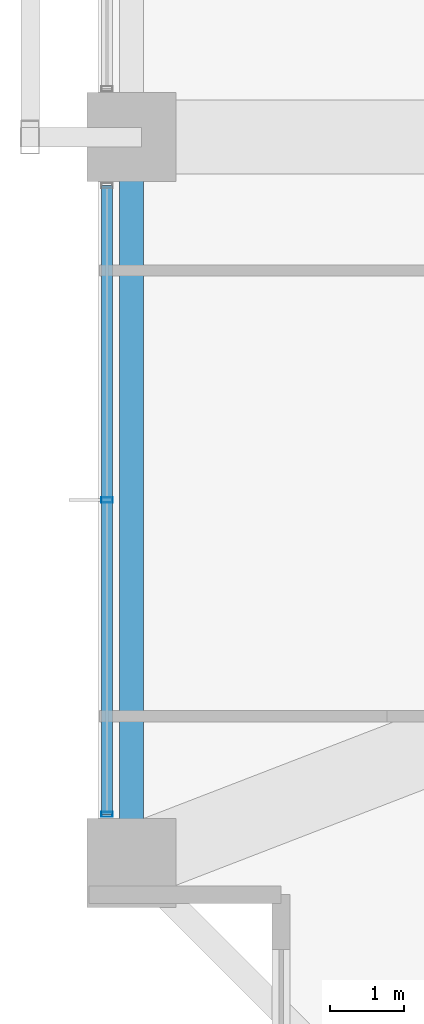
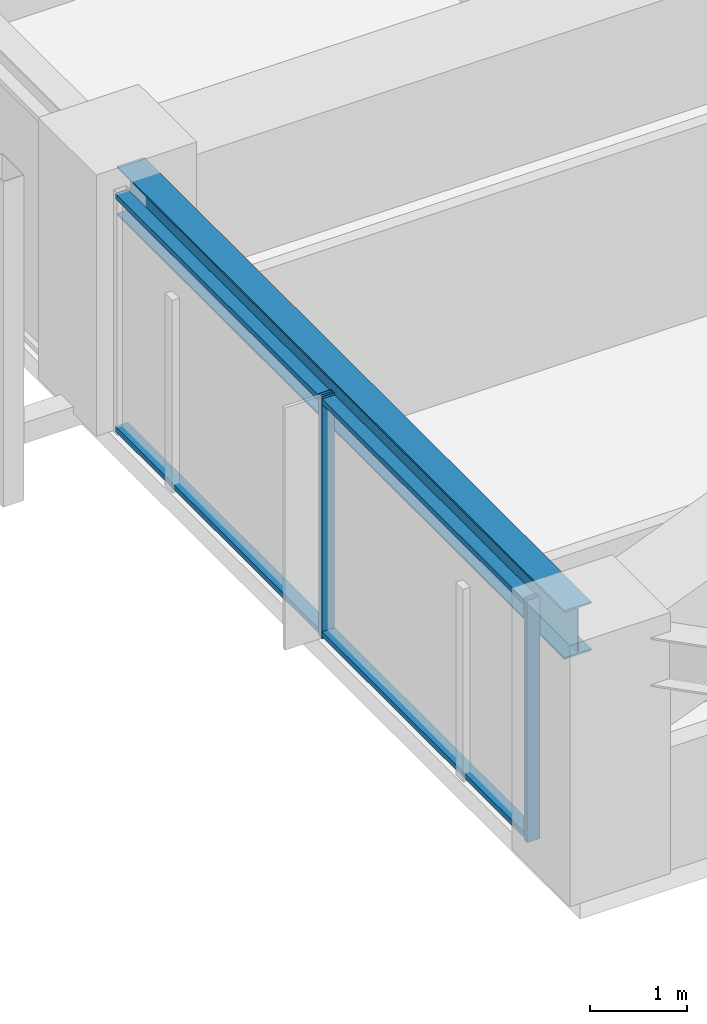
# One storey, part 3 of 37: 4 members, 1 beam, 1 element without a shape of its own.
"""IFC4 building model written with IfcOpenShell, lengths in metres."""

from ifc_helpers import new_model, si_unit, direction, frame, origin, origin_2d, place, context, subcontext, project, spatial, hollow_rectangle, i_section, extrude, material, material_profile, profile_set, type_object, element, aggregate, save


model = new_model("IFC4")

# Units and contexts
model_context = context("Model", 3, precision=1e-05, world=origin(), true_north=direction((0.0, 1.0)))
body_context = subcontext(model_context, "Body", "Model", "MODEL_VIEW")
ifc_project = project(units=[si_unit("LENGTHUNIT", "METRE"), si_unit("AREAUNIT", "SQUARE_METRE"), si_unit("VOLUMEUNIT", "CUBIC_METRE"), si_unit("PLANEANGLEUNIT", "RADIAN"), si_unit("MASSUNIT", "GRAM", prefix="KILO")], contexts=[model_context])

# Site, building, storey
site_placement = place(None, origin())
site = spatial("IfcSite", under=ifc_project, at=site_placement, CompositionType="ELEMENT")
building_placement = place(site_placement, origin())
building = spatial("IfcBuilding", under=site, at=building_placement, Name="Kolvaren Belvedere", CompositionType="ELEMENT")
storey_placement = place(building_placement, frame((0.0, 0.0, 43.60009765625)))
storey = spatial("IfcBuildingStorey", under=building, at=storey_placement, Name="L12", CompositionType="ELEMENT", Elevation=43.60009765625)

# Beam
ifc_material_1 = material(Name="Structural steel ASTM A992 Grade 50", Category="steel")
ifc_material_profile_1 = material_profile(ifc_material_1, i_section(OverallWidth=0.324951171875, OverallDepth=0.615966796875, WebThickness=0.013916015625, FlangeThickness=0.021484375, FilletRadius=0.02001953125, at=origin_2d()), Name="W24X117")
ifc_profile_set_1 = profile_set([ifc_material_profile_1], Name="Structural steel ASTM A992 Grade 50")
beam_type = type_object("IfcBeamType", Name="BM-SPAN-W24X117", PredefinedType="SPANDREL", material=ifc_profile_set_1)
beam_placement = place(storey_placement, frame((-21.550048828125, -4.8701171875, 2.751953125), z_axis=(0.0, -1.0, 0.0), x_axis=(1.0, 0.0, 0.0)))
element("IfcBeam", 1, at=beam_placement, inside=storey, type_object=beam_type, Name="L12 Perimeter Spandrel W2-W1", PredefinedType="SPANDREL", context=body_context, shape_type="SweptSolid", body=[
    extrude(i_section(OverallWidth=0.324951171875, OverallDepth=0.615966796875, WebThickness=0.013916015625, FlangeThickness=0.021484375, FilletRadius=0.02001953125, at=origin_2d()), origin(), (0.0, 0.0, 1.0), 9.259765625),
])

# Curtain wall, members
ifc_material_2 = material(Name="Anodised pale-metal aluminium AA 6063-T6", Category="aluminium")
curtain_wall_type = type_object("IfcCurtainWallType", Name="CW-Z1-LOW", PredefinedType="NOTDEFINED", material=ifc_material_2)
curtain_wall_placement = place(storey_placement, origin())
curtain_wall = element("IfcCurtainWall", 2, at=curtain_wall_placement, inside=storey, type_object=curtain_wall_type, Name="L12 Unitised Curtain Wall FCW-L12-W-B1", PredefinedType="NOTDEFINED")
ifc_material_3 = material(Name="Anodised pale-metal aluminium AA 6063-T6", Category="aluminium")
ifc_material_profile_2 = material_profile(ifc_material_3, hollow_rectangle(XDim=0.070068359375, YDim=0.14990234375, WallThickness=0.004150390625, at=origin_2d()), Name="ALU-MUL-150X70")
ifc_profile_set_2 = profile_set([ifc_material_profile_2], Name="Anodised pale-metal aluminium AA 6063-T6")
member_type_1 = type_object("IfcMemberType", Name="CW-MUL-150", PredefinedType="MULLION", material=ifc_profile_set_2)
member_1_placement = place(storey_placement, frame((-21.8798828125, -13.7451171875, 0.0), z_axis=(0.0, 0.0, 1.0), x_axis=(0.0, 1.0, 0.0)))
member_1 = element("IfcMember", 3, at=member_1_placement, type_object=member_type_1, Name="FCW-L12-W-B1 Unitised Mullion 1", PredefinedType="MULLION", context=body_context, shape_type="SweptSolid", body=[
    extrude(hollow_rectangle(XDim=0.070068359375, YDim=0.14990234375, WallThickness=0.004150390625, at=origin_2d()), origin(), (0.0, 0.0, 1.0), 3.059814453125),
])
member_2_placement = place(storey_placement, frame((-21.8798828125, -9.5, 0.0), z_axis=(0.0, 0.0, 1.0), x_axis=(0.0, 1.0, 0.0)))
member_2 = element("IfcMember", 4, at=member_2_placement, type_object=member_type_1, Name="FCW-L12-W-B1 Unitised Mullion 2", PredefinedType="MULLION", context=body_context, shape_type="SweptSolid", body=[
    extrude(hollow_rectangle(XDim=0.070068359375, YDim=0.14990234375, WallThickness=0.004150390625, at=origin_2d()), origin(), (0.0, 0.0, 1.0), 3.059814453125),
])
ifc_material_4 = material(Name="Anodised pale-metal aluminium AA 6063-T6", Category="aluminium")
ifc_material_profile_3 = material_profile(ifc_material_4, hollow_rectangle(XDim=0.06494140625, YDim=0.14990234375, WallThickness=0.00390625, at=origin_2d()), Name="ALU-TRN-150X65")
ifc_profile_set_3 = profile_set([ifc_material_profile_3], Name="Anodised pale-metal aluminium AA 6063-T6")
member_type_2 = type_object("IfcMemberType", Name="CW-TRN-150", PredefinedType="USERDEFINED", material=ifc_profile_set_3)
member_3_placement = place(storey_placement, frame((-21.8798828125, -13.7451171875, 0.059814453125), z_axis=(0.0, 1.0, 0.0), x_axis=(0.0, 0.0, 1.0)))
member_3 = element("IfcMember", 5, at=member_3_placement, type_object=member_type_2, Name="FCW-L12-W-B1 Sill Transom", ObjectType="TRANSOM", PredefinedType="USERDEFINED", context=body_context, shape_type="SweptSolid", body=[
    extrude(hollow_rectangle(XDim=0.06494140625, YDim=0.14990234375, WallThickness=0.00390625, at=origin_2d()), origin(), (0.0, 0.0, 1.0), 8.490234375),
])
member_4_placement = place(storey_placement, frame((-21.8798828125, -13.7451171875, 3.0), z_axis=(0.0, 1.0, 0.0), x_axis=(0.0, 0.0, 1.0)))
member_4 = element("IfcMember", 6, at=member_4_placement, type_object=member_type_2, Name="FCW-L12-W-B1 Head Transom", ObjectType="TRANSOM", PredefinedType="USERDEFINED", context=body_context, shape_type="SweptSolid", body=[
    extrude(hollow_rectangle(XDim=0.06494140625, YDim=0.14990234375, WallThickness=0.00390625, at=origin_2d()), origin(), (0.0, 0.0, 1.0), 8.490234375),
])
aggregate(curtain_wall, [member_1, member_2, member_3, member_4])

save(model, "model.ifc")
